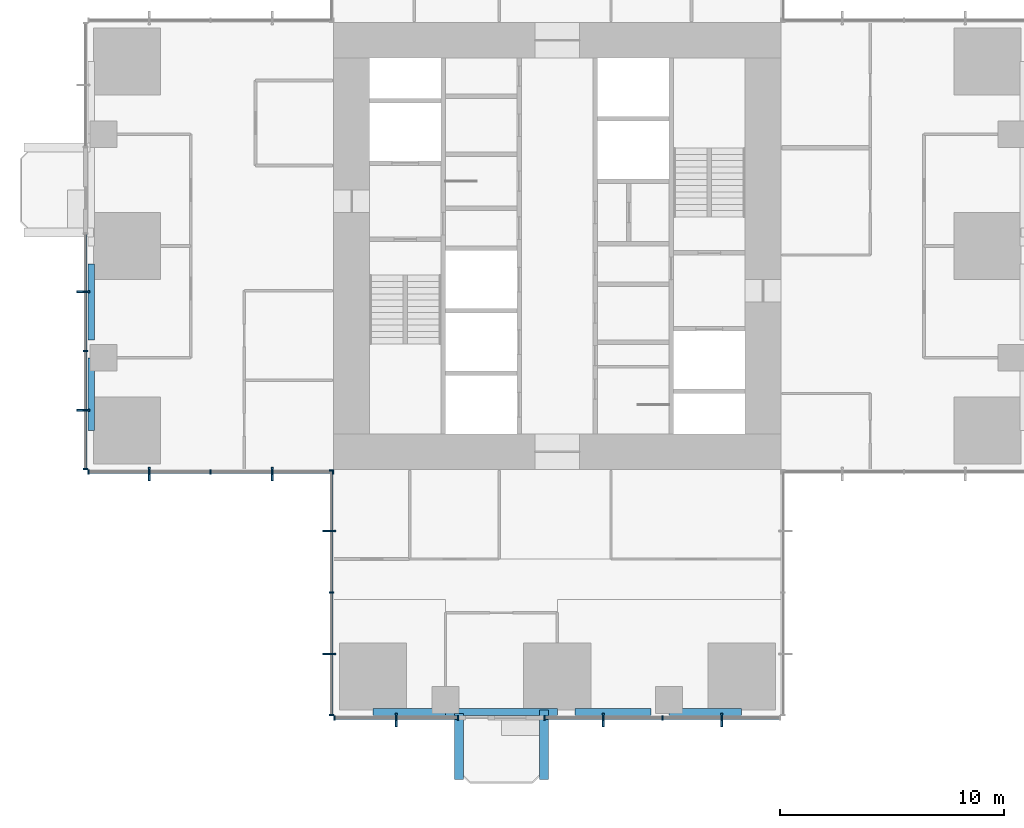
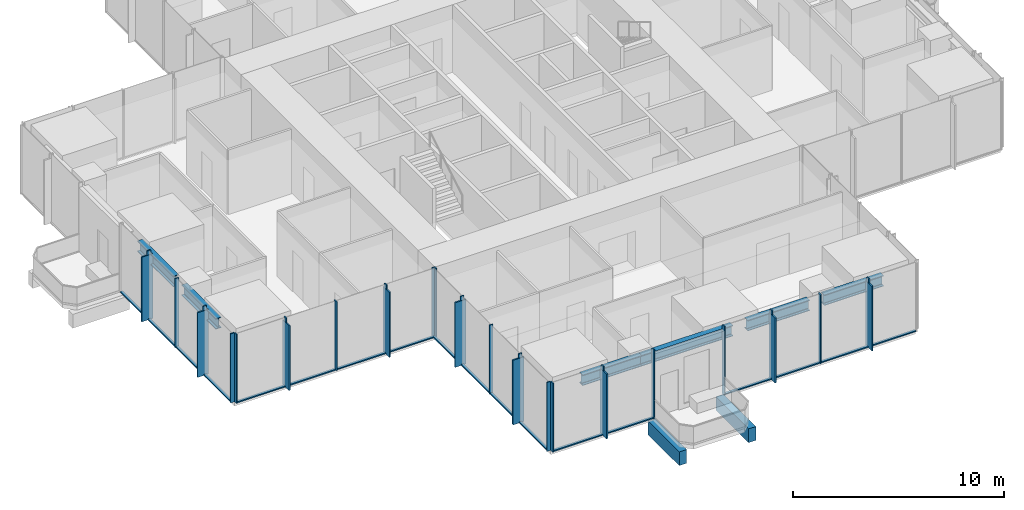
# One storey, part 2 of 14: 48 members, 8 beams, 5 elements without a shape of their own.
"""IFC4 building model written with IfcOpenShell, lengths in metres."""

from ifc_helpers import new_model, si_unit, direction, frame, origin, origin_2d, place, context, subcontext, project, spatial, rectangle, i_section, extrude, material, material_profile, profile_set, type_object, element, aggregate, save


model = new_model("IFC4")

# Units and contexts
model_context = context("Model", 3, precision=1e-05, world=origin(), true_north=direction((0.0, 1.0)))
body_context = subcontext(model_context, "Body", "Model", "MODEL_VIEW")
ifc_project = project(units=[si_unit("LENGTHUNIT", "METRE"), si_unit("AREAUNIT", "SQUARE_METRE"), si_unit("VOLUMEUNIT", "CUBIC_METRE"), si_unit("PLANEANGLEUNIT", "RADIAN"), si_unit("MASSUNIT", "GRAM", prefix="KILO")], contexts=[model_context])

# Site, building, storey
site_placement = place(None, origin())
site = spatial("IfcSite", under=ifc_project, at=site_placement, CompositionType="ELEMENT")
building_placement = place(site_placement, origin())
building = spatial("IfcBuilding", under=site, at=building_placement, Name="Svetlomir Tower", CompositionType="ELEMENT")
storey_placement = place(building_placement, frame((0.0, 0.0, 108.5)))
storey = spatial("IfcBuildingStorey", under=building, at=storey_placement, Name="L25", CompositionType="ELEMENT", Elevation=108.5)

# Beams
ifc_material_1 = material(Name="Concrete C60/75", Category="concrete")
ifc_material_profile_1 = material_profile(ifc_material_1, rectangle(XDim=0.39990234375, YDim=0.800048828125, at=origin_2d()), Name="RC 400x800")
ifc_profile_set_1 = profile_set([ifc_material_profile_1], Name="Concrete C60/75")
beam_type_1 = type_object("IfcBeamType", Name="BALCONY RIB RC 400x800", PredefinedType="BEAM", material=ifc_profile_set_1)
beam_1_placement = place(storey_placement, frame((16.60009765625, 0.10009765625, -0.64990234375), z_axis=(0.0, -1.0, 0.0), x_axis=(1.0, 0.0, 0.0)))
element("IfcBeam", 1, at=beam_1_placement, inside=storey, type_object=beam_type_1, Name="Balcony rib S 1 L25", PredefinedType="BEAM", context=body_context, shape_type="SweptSolid", body=[
    extrude(rectangle(XDim=0.39990234375, YDim=0.800048828125, at=origin_2d()), origin(), (0.0, 0.0, 1.0), 2.9501953125),
])
beam_2_placement = place(storey_placement, frame((20.39990234375, 0.25, -0.64990234375), z_axis=(0.0, -1.0, 0.0), x_axis=(1.0, 0.0, 0.0)))
element("IfcBeam", 2, at=beam_2_placement, inside=storey, type_object=beam_type_1, Name="Balcony rib S 2 L25", PredefinedType="BEAM", context=body_context, shape_type="SweptSolid", body=[
    extrude(rectangle(XDim=0.39990234375, YDim=0.800048828125, at=origin_2d()), origin(), (0.0, 0.0, 1.0), 3.10009765625),
])

# Curtain wall, member
ifc_material_2 = material(Name="Bronze anodised aluminium curtain wall", Category="aluminium")
curtain_wall_type = type_object("IfcCurtainWallType", Name="CURTAIN WALL CW1 TOWER OFFICE", PredefinedType="NOTDEFINED", material=ifc_material_2)
curtain_wall_1_placement = place(storey_placement, origin())
curtain_wall_1 = element("IfcCurtainWall", 3, at=curtain_wall_1_placement, inside=storey, type_object=curtain_wall_type, Name="Curtain wall CW1 L25", PredefinedType="NOTDEFINED")
ifc_material_3 = material(Name="Bronze anodised aluminium", Category="aluminium")
ifc_material_profile_2 = material_profile(ifc_material_3, rectangle(XDim=0.080078125, YDim=0.60009765625, at=origin_2d()), Name="FIN 80x600")
ifc_profile_set_2 = profile_set([ifc_material_profile_2], Name="Bronze anodised aluminium 6063-T6")
member_type_1 = type_object("IfcMemberType", Name="BRONZE FIN 80x600", PredefinedType="USERDEFINED", material=ifc_profile_set_2)
member_1_placement = place(storey_placement, frame((13.800048828125, -0.199951171875, 0.0), z_axis=(0.0, 0.0, 1.0), x_axis=(1.0, 0.0, 0.0)))
member_1 = element("IfcMember", 4, at=member_1_placement, type_object=member_type_1, Name="Bronze fin L25", ObjectType="FIN", PredefinedType="USERDEFINED", context=body_context, shape_type="SweptSolid", body=[
    extrude(rectangle(XDim=0.080078125, YDim=0.60009765625, at=origin_2d()), origin(), (0.0, 0.0, 1.0), 3.75),
])

# Curtain wall, members
curtain_wall_2_placement = place(storey_placement, origin())
curtain_wall_2 = element("IfcCurtainWall", 5, at=curtain_wall_2_placement, inside=storey, type_object=curtain_wall_type, Name="Curtain wall CW1 L25", PredefinedType="NOTDEFINED")
member_2_placement = place(storey_placement, frame((23.050048828125, -0.199951171875, 0.0), z_axis=(0.0, 0.0, 1.0), x_axis=(1.0, 0.0, 0.0)))
member_2 = element("IfcMember", 6, at=member_2_placement, type_object=member_type_1, Name="Bronze fin L25", ObjectType="FIN", PredefinedType="USERDEFINED", context=body_context, shape_type="SweptSolid", body=[
    extrude(rectangle(XDim=0.080078125, YDim=0.60009765625, at=origin_2d()), origin(), (0.0, 0.0, 1.0), 3.75),
])
member_3_placement = place(storey_placement, frame((28.35009765625, -0.199951171875, 0.0), z_axis=(0.0, 0.0, 1.0), x_axis=(1.0, 0.0, 0.0)))
member_3 = element("IfcMember", 7, at=member_3_placement, type_object=member_type_1, Name="Bronze fin L25", ObjectType="FIN", PredefinedType="USERDEFINED", context=body_context, shape_type="SweptSolid", body=[
    extrude(rectangle(XDim=0.080078125, YDim=0.60009765625, at=origin_2d()), origin(), (0.0, 0.0, 1.0), 3.75),
])

curtain_wall_3_placement = place(storey_placement, origin())
curtain_wall_3 = element("IfcCurtainWall", 8, at=curtain_wall_3_placement, inside=storey, type_object=curtain_wall_type, Name="Curtain wall CW1 L25", PredefinedType="NOTDEFINED")
member_4_placement = place(storey_placement, frame((-0.199951171875, 18.949951171875, 0.0), z_axis=(0.0, 0.0, 1.0), x_axis=(0.0, 1.0, 0.0)))
member_4 = element("IfcMember", 9, at=member_4_placement, type_object=member_type_1, Name="Bronze fin L25", ObjectType="FIN", PredefinedType="USERDEFINED", context=body_context, shape_type="SweptSolid", body=[
    extrude(rectangle(XDim=0.080078125, YDim=0.60009765625, at=origin_2d()), origin(), (0.0, 0.0, 1.0), 3.75),
])
member_5_placement = place(storey_placement, frame((-0.199951171875, 13.64990234375, 0.0), z_axis=(0.0, 0.0, 1.0), x_axis=(0.0, 1.0, 0.0)))
member_5 = element("IfcMember", 10, at=member_5_placement, type_object=member_type_1, Name="Bronze fin L25", ObjectType="FIN", PredefinedType="USERDEFINED", context=body_context, shape_type="SweptSolid", body=[
    extrude(rectangle(XDim=0.080078125, YDim=0.60009765625, at=origin_2d()), origin(), (0.0, 0.0, 1.0), 3.75),
])

curtain_wall_4_placement = place(storey_placement, origin())
curtain_wall_4 = element("IfcCurtainWall", 11, at=curtain_wall_4_placement, inside=storey, type_object=curtain_wall_type, Name="Curtain wall CW1 L25", PredefinedType="NOTDEFINED")
member_6_placement = place(storey_placement, frame((2.75, 10.800048828125, 0.0), z_axis=(0.0, 0.0, 1.0), x_axis=(1.0, 0.0, 0.0)))
member_6 = element("IfcMember", 12, at=member_6_placement, type_object=member_type_1, Name="Bronze fin L25", ObjectType="FIN", PredefinedType="USERDEFINED", context=body_context, shape_type="SweptSolid", body=[
    extrude(rectangle(XDim=0.080078125, YDim=0.60009765625, at=origin_2d()), origin(), (0.0, 0.0, 1.0), 3.75),
])
member_7_placement = place(storey_placement, frame((8.25, 10.800048828125, 0.0), z_axis=(0.0, 0.0, 1.0), x_axis=(1.0, 0.0, 0.0)))
member_7 = element("IfcMember", 13, at=member_7_placement, type_object=member_type_1, Name="Bronze fin L25", ObjectType="FIN", PredefinedType="USERDEFINED", context=body_context, shape_type="SweptSolid", body=[
    extrude(rectangle(XDim=0.080078125, YDim=0.60009765625, at=origin_2d()), origin(), (0.0, 0.0, 1.0), 3.75),
])

curtain_wall_5_placement = place(storey_placement, origin())
curtain_wall_5 = element("IfcCurtainWall", 14, at=curtain_wall_5_placement, inside=storey, type_object=curtain_wall_type, Name="Curtain wall CW1 L25", PredefinedType="NOTDEFINED")
member_8_placement = place(storey_placement, frame((10.800048828125, 8.25, 0.0), z_axis=(0.0, 0.0, 1.0), x_axis=(0.0, 1.0, 0.0)))
member_8 = element("IfcMember", 15, at=member_8_placement, type_object=member_type_1, Name="Bronze fin L25", ObjectType="FIN", PredefinedType="USERDEFINED", context=body_context, shape_type="SweptSolid", body=[
    extrude(rectangle(XDim=0.080078125, YDim=0.60009765625, at=origin_2d()), origin(), (0.0, 0.0, 1.0), 3.75),
])
member_9_placement = place(storey_placement, frame((10.800048828125, 2.75, 0.0), z_axis=(0.0, 0.0, 1.0), x_axis=(0.0, 1.0, 0.0)))
member_9 = element("IfcMember", 16, at=member_9_placement, type_object=member_type_1, Name="Bronze fin L25", ObjectType="FIN", PredefinedType="USERDEFINED", context=body_context, shape_type="SweptSolid", body=[
    extrude(rectangle(XDim=0.080078125, YDim=0.60009765625, at=origin_2d()), origin(), (0.0, 0.0, 1.0), 3.75),
])

# Member
ifc_material_4 = material(Name="Bronze anodised aluminium", Category="aluminium")
ifc_material_profile_3 = material_profile(ifc_material_4, rectangle(XDim=0.06494140625, YDim=0.199951171875, at=origin_2d()), Name="AL 65x200")
ifc_profile_set_3 = profile_set([ifc_material_profile_3], Name="Bronze anodised aluminium 6063-T6")
member_type_2 = type_object("IfcMemberType", Name="CW1 MULLION 65x200", PredefinedType="MULLION", material=ifc_profile_set_3)
member_10_placement = place(storey_placement, frame((11.032470703125, -0.10009765625, 0.0), z_axis=(0.0, 0.0, 1.0), x_axis=(1.0, 0.0, 0.0)))
member_10 = element("IfcMember", 17, at=member_10_placement, type_object=member_type_2, Name="CW1 mullion 1", PredefinedType="MULLION", context=body_context, shape_type="SweptSolid", body=[
    extrude(rectangle(XDim=0.06494140625, YDim=0.199951171875, at=origin_2d()), origin(), (0.0, 0.0, 1.0), 4.0),
])

member_11_placement = place(storey_placement, frame((13.800048828125, -0.10009765625, 0.0), z_axis=(0.0, 0.0, 1.0), x_axis=(1.0, 0.0, 0.0)))
member_11 = element("IfcMember", 18, at=member_11_placement, type_object=member_type_2, Name="CW1 mullion 2", PredefinedType="MULLION", context=body_context, shape_type="SweptSolid", body=[
    extrude(rectangle(XDim=0.06494140625, YDim=0.199951171875, at=origin_2d()), origin(), (0.0, 0.0, 1.0), 4.0),
])

member_12_placement = place(storey_placement, frame((16.5673828125, -0.10009765625, 0.0), z_axis=(0.0, 0.0, 1.0), x_axis=(1.0, 0.0, 0.0)))
member_12 = element("IfcMember", 19, at=member_12_placement, type_object=member_type_2, Name="CW1 mullion 3", PredefinedType="MULLION", context=body_context, shape_type="SweptSolid", body=[
    extrude(rectangle(XDim=0.06494140625, YDim=0.199951171875, at=origin_2d()), origin(), (0.0, 0.0, 1.0), 4.0),
])

member_13_placement = place(storey_placement, frame((20.4326171875, -0.10009765625, 0.0), z_axis=(0.0, 0.0, 1.0), x_axis=(1.0, 0.0, 0.0)))
member_13 = element("IfcMember", 20, at=member_13_placement, type_object=member_type_2, Name="CW1 mullion 1", PredefinedType="MULLION", context=body_context, shape_type="SweptSolid", body=[
    extrude(rectangle(XDim=0.06494140625, YDim=0.199951171875, at=origin_2d()), origin(), (0.0, 0.0, 1.0), 4.0),
])

member_14_placement = place(storey_placement, frame((23.050048828125, -0.10009765625, 0.0), z_axis=(0.0, 0.0, 1.0), x_axis=(1.0, 0.0, 0.0)))
member_14 = element("IfcMember", 21, at=member_14_placement, type_object=member_type_2, Name="CW1 mullion 2", PredefinedType="MULLION", context=body_context, shape_type="SweptSolid", body=[
    extrude(rectangle(XDim=0.06494140625, YDim=0.199951171875, at=origin_2d()), origin(), (0.0, 0.0, 1.0), 4.0),
])

member_15_placement = place(storey_placement, frame((25.699951171875, -0.10009765625, 0.0), z_axis=(0.0, 0.0, 1.0), x_axis=(1.0, 0.0, 0.0)))
member_15 = element("IfcMember", 22, at=member_15_placement, type_object=member_type_2, Name="CW1 mullion 3", PredefinedType="MULLION", context=body_context, shape_type="SweptSolid", body=[
    extrude(rectangle(XDim=0.06494140625, YDim=0.199951171875, at=origin_2d()), origin(), (0.0, 0.0, 1.0), 4.0),
])

member_16_placement = place(storey_placement, frame((28.35009765625, -0.10009765625, 0.0), z_axis=(0.0, 0.0, 1.0), x_axis=(1.0, 0.0, 0.0)))
member_16 = element("IfcMember", 23, at=member_16_placement, type_object=member_type_2, Name="CW1 mullion 4", PredefinedType="MULLION", context=body_context, shape_type="SweptSolid", body=[
    extrude(rectangle(XDim=0.06494140625, YDim=0.199951171875, at=origin_2d()), origin(), (0.0, 0.0, 1.0), 4.0),
])

member_17_placement = place(storey_placement, frame((-0.10009765625, 18.949951171875, 0.0), z_axis=(0.0, 0.0, 1.0), x_axis=(0.0, -1.0, 0.0)))
member_17 = element("IfcMember", 24, at=member_17_placement, type_object=member_type_2, Name="CW1 mullion 2", PredefinedType="MULLION", context=body_context, shape_type="SweptSolid", body=[
    extrude(rectangle(XDim=0.06494140625, YDim=0.199951171875, at=origin_2d()), origin(), (0.0, 0.0, 1.0), 4.0),
])

member_18_placement = place(storey_placement, frame((-0.10009765625, 16.300048828125, 0.0), z_axis=(0.0, 0.0, 1.0), x_axis=(0.0, -1.0, 0.0)))
member_18 = element("IfcMember", 25, at=member_18_placement, type_object=member_type_2, Name="CW1 mullion 3", PredefinedType="MULLION", context=body_context, shape_type="SweptSolid", body=[
    extrude(rectangle(XDim=0.06494140625, YDim=0.199951171875, at=origin_2d()), origin(), (0.0, 0.0, 1.0), 4.0),
])

member_19_placement = place(storey_placement, frame((-0.10009765625, 13.64990234375, 0.0), z_axis=(0.0, 0.0, 1.0), x_axis=(0.0, -1.0, 0.0)))
member_19 = element("IfcMember", 26, at=member_19_placement, type_object=member_type_2, Name="CW1 mullion 4", PredefinedType="MULLION", context=body_context, shape_type="SweptSolid", body=[
    extrude(rectangle(XDim=0.06494140625, YDim=0.199951171875, at=origin_2d()), origin(), (0.0, 0.0, 1.0), 4.0),
])

member_20_placement = place(storey_placement, frame((-0.10009765625, 11.032470703125, 0.0), z_axis=(0.0, 0.0, 1.0), x_axis=(0.0, -1.0, 0.0)))
member_20 = element("IfcMember", 27, at=member_20_placement, type_object=member_type_2, Name="CW1 mullion 5", PredefinedType="MULLION", context=body_context, shape_type="SweptSolid", body=[
    extrude(rectangle(XDim=0.06494140625, YDim=0.199951171875, at=origin_2d()), origin(), (0.0, 0.0, 1.0), 4.0),
])

member_21_placement = place(storey_placement, frame((0.032470703125, 10.89990234375, 0.0), z_axis=(0.0, 0.0, 1.0), x_axis=(1.0, 0.0, 0.0)))
member_21 = element("IfcMember", 28, at=member_21_placement, type_object=member_type_2, Name="CW1 mullion 1", PredefinedType="MULLION", context=body_context, shape_type="SweptSolid", body=[
    extrude(rectangle(XDim=0.06494140625, YDim=0.199951171875, at=origin_2d()), origin(), (0.0, 0.0, 1.0), 4.0),
])

member_22_placement = place(storey_placement, frame((2.75, 10.89990234375, 0.0), z_axis=(0.0, 0.0, 1.0), x_axis=(1.0, 0.0, 0.0)))
member_22 = element("IfcMember", 29, at=member_22_placement, type_object=member_type_2, Name="CW1 mullion 2", PredefinedType="MULLION", context=body_context, shape_type="SweptSolid", body=[
    extrude(rectangle(XDim=0.06494140625, YDim=0.199951171875, at=origin_2d()), origin(), (0.0, 0.0, 1.0), 4.0),
])

member_23_placement = place(storey_placement, frame((5.5, 10.89990234375, 0.0), z_axis=(0.0, 0.0, 1.0), x_axis=(1.0, 0.0, 0.0)))
member_23 = element("IfcMember", 30, at=member_23_placement, type_object=member_type_2, Name="CW1 mullion 3", PredefinedType="MULLION", context=body_context, shape_type="SweptSolid", body=[
    extrude(rectangle(XDim=0.06494140625, YDim=0.199951171875, at=origin_2d()), origin(), (0.0, 0.0, 1.0), 4.0),
])

member_24_placement = place(storey_placement, frame((8.25, 10.89990234375, 0.0), z_axis=(0.0, 0.0, 1.0), x_axis=(1.0, 0.0, 0.0)))
member_24 = element("IfcMember", 31, at=member_24_placement, type_object=member_type_2, Name="CW1 mullion 4", PredefinedType="MULLION", context=body_context, shape_type="SweptSolid", body=[
    extrude(rectangle(XDim=0.06494140625, YDim=0.199951171875, at=origin_2d()), origin(), (0.0, 0.0, 1.0), 4.0),
])

member_25_placement = place(storey_placement, frame((10.967529296875, 10.89990234375, 0.0), z_axis=(0.0, 0.0, 1.0), x_axis=(1.0, 0.0, 0.0)))
member_25 = element("IfcMember", 32, at=member_25_placement, type_object=member_type_2, Name="CW1 mullion 5", PredefinedType="MULLION", context=body_context, shape_type="SweptSolid", body=[
    extrude(rectangle(XDim=0.06494140625, YDim=0.199951171875, at=origin_2d()), origin(), (0.0, 0.0, 1.0), 4.0),
])

member_26_placement = place(storey_placement, frame((10.89990234375, 10.967529296875, 0.0), z_axis=(0.0, 0.0, 1.0), x_axis=(0.0, -1.0, 0.0)))
member_26 = element("IfcMember", 33, at=member_26_placement, type_object=member_type_2, Name="CW1 mullion 1", PredefinedType="MULLION", context=body_context, shape_type="SweptSolid", body=[
    extrude(rectangle(XDim=0.06494140625, YDim=0.199951171875, at=origin_2d()), origin(), (0.0, 0.0, 1.0), 4.0),
])

member_27_placement = place(storey_placement, frame((10.89990234375, 8.25, 0.0), z_axis=(0.0, 0.0, 1.0), x_axis=(0.0, -1.0, 0.0)))
member_27 = element("IfcMember", 34, at=member_27_placement, type_object=member_type_2, Name="CW1 mullion 2", PredefinedType="MULLION", context=body_context, shape_type="SweptSolid", body=[
    extrude(rectangle(XDim=0.06494140625, YDim=0.199951171875, at=origin_2d()), origin(), (0.0, 0.0, 1.0), 4.0),
])

member_28_placement = place(storey_placement, frame((10.89990234375, 5.5, 0.0), z_axis=(0.0, 0.0, 1.0), x_axis=(0.0, -1.0, 0.0)))
member_28 = element("IfcMember", 35, at=member_28_placement, type_object=member_type_2, Name="CW1 mullion 3", PredefinedType="MULLION", context=body_context, shape_type="SweptSolid", body=[
    extrude(rectangle(XDim=0.06494140625, YDim=0.199951171875, at=origin_2d()), origin(), (0.0, 0.0, 1.0), 4.0),
])

member_29_placement = place(storey_placement, frame((10.89990234375, 2.75, 0.0), z_axis=(0.0, 0.0, 1.0), x_axis=(0.0, -1.0, 0.0)))
member_29 = element("IfcMember", 36, at=member_29_placement, type_object=member_type_2, Name="CW1 mullion 4", PredefinedType="MULLION", context=body_context, shape_type="SweptSolid", body=[
    extrude(rectangle(XDim=0.06494140625, YDim=0.199951171875, at=origin_2d()), origin(), (0.0, 0.0, 1.0), 4.0),
])

member_30_placement = place(storey_placement, frame((10.89990234375, 0.032470703125, 0.0), z_axis=(0.0, 0.0, 1.0), x_axis=(0.0, -1.0, 0.0)))
member_30 = element("IfcMember", 37, at=member_30_placement, type_object=member_type_2, Name="CW1 mullion 5", PredefinedType="MULLION", context=body_context, shape_type="SweptSolid", body=[
    extrude(rectangle(XDim=0.06494140625, YDim=0.199951171875, at=origin_2d()), origin(), (0.0, 0.0, 1.0), 4.0),
])

ifc_material_5 = material(Name="Bronze anodised aluminium", Category="aluminium")
ifc_material_profile_4 = material_profile(ifc_material_5, rectangle(XDim=0.139892578125, YDim=0.06494140625, at=origin_2d()), Name="AL 140x65")
ifc_profile_set_4 = profile_set([ifc_material_profile_4], Name="Bronze anodised aluminium 6063-T6")
member_type_3 = type_object("IfcMemberType", Name="CW1 TRANSOM 65x140", PredefinedType="USERDEFINED", material=ifc_profile_set_4)
member_31_placement = place(storey_placement, frame((11.06494140625, -0.10009765625, 0.032470703125), z_axis=(1.0, 0.0, 0.0), x_axis=(0.0, 1.0, 0.0)))
member_31 = element("IfcMember", 38, at=member_31_placement, type_object=member_type_3, Name="CW1 transom 1.1", ObjectType="TRANSOM", PredefinedType="USERDEFINED", context=body_context, shape_type="SweptSolid", body=[
    extrude(rectangle(XDim=0.139892578125, YDim=0.06494140625, at=origin_2d()), origin(), (0.0, 0.0, 1.0), 2.70263671875),
])

member_32_placement = place(storey_placement, frame((13.83251953125, -0.10009765625, 0.032470703125), z_axis=(1.0, 0.0, 0.0), x_axis=(0.0, 1.0, 0.0)))
member_32 = element("IfcMember", 39, at=member_32_placement, type_object=member_type_3, Name="CW1 transom 2.1", ObjectType="TRANSOM", PredefinedType="USERDEFINED", context=body_context, shape_type="SweptSolid", body=[
    extrude(rectangle(XDim=0.139892578125, YDim=0.06494140625, at=origin_2d()), origin(), (0.0, 0.0, 1.0), 2.702392578125),
])

aggregate(curtain_wall_1, [member_10, member_11, member_12, member_31, member_32, member_1])

member_33_placement = place(storey_placement, frame((20.465087890625, -0.10009765625, 0.032470703125), z_axis=(1.0, 0.0, 0.0), x_axis=(0.0, 1.0, 0.0)))
member_33 = element("IfcMember", 40, at=member_33_placement, type_object=member_type_3, Name="CW1 transom 1.1", ObjectType="TRANSOM", PredefinedType="USERDEFINED", context=body_context, shape_type="SweptSolid", body=[
    extrude(rectangle(XDim=0.139892578125, YDim=0.06494140625, at=origin_2d()), origin(), (0.0, 0.0, 1.0), 2.552490234375),
])

member_34_placement = place(storey_placement, frame((23.08251953125, -0.10009765625, 0.032470703125), z_axis=(1.0, 0.0, 0.0), x_axis=(0.0, 1.0, 0.0)))
member_34 = element("IfcMember", 41, at=member_34_placement, type_object=member_type_3, Name="CW1 transom 2.1", ObjectType="TRANSOM", PredefinedType="USERDEFINED", context=body_context, shape_type="SweptSolid", body=[
    extrude(rectangle(XDim=0.139892578125, YDim=0.06494140625, at=origin_2d()), origin(), (0.0, 0.0, 1.0), 2.5849609375),
])

member_35_placement = place(storey_placement, frame((25.732421875, -0.10009765625, 0.032470703125), z_axis=(1.0, 0.0, 0.0), x_axis=(0.0, 1.0, 0.0)))
member_35 = element("IfcMember", 42, at=member_35_placement, type_object=member_type_3, Name="CW1 transom 3.1", ObjectType="TRANSOM", PredefinedType="USERDEFINED", context=body_context, shape_type="SweptSolid", body=[
    extrude(rectangle(XDim=0.139892578125, YDim=0.06494140625, at=origin_2d()), origin(), (0.0, 0.0, 1.0), 2.5849609375),
])

member_36_placement = place(storey_placement, frame((28.382568359375, -0.10009765625, 0.032470703125), z_axis=(1.0, 0.0, 0.0), x_axis=(0.0, 1.0, 0.0)))
member_36 = element("IfcMember", 43, at=member_36_placement, type_object=member_type_3, Name="CW1 transom 4.1", ObjectType="TRANSOM", PredefinedType="USERDEFINED", context=body_context, shape_type="SweptSolid", body=[
    extrude(rectangle(XDim=0.139892578125, YDim=0.06494140625, at=origin_2d()), origin(), (0.0, 0.0, 1.0), 2.552490234375),
])

aggregate(curtain_wall_2, [member_13, member_14, member_15, member_16, member_33, member_34, member_35, member_36, member_2, member_3])

member_37_placement = place(storey_placement, frame((-0.10009765625, 21.534912109375, 0.032470703125), z_axis=(0.0, -1.0, 0.0), x_axis=(1.0, 0.0, 0.0)))
member_37 = element("IfcMember", 44, at=member_37_placement, type_object=member_type_3, Name="CW1 transom 1.1", ObjectType="TRANSOM", PredefinedType="USERDEFINED", context=body_context, shape_type="SweptSolid", body=[
    extrude(rectangle(XDim=0.139892578125, YDim=0.06494140625, at=origin_2d()), origin(), (0.0, 0.0, 1.0), 2.552490234375),
])

member_38_placement = place(storey_placement, frame((-0.10009765625, 18.91748046875, 0.032470703125), z_axis=(0.0, -1.0, 0.0), x_axis=(1.0, 0.0, 0.0)))
member_38 = element("IfcMember", 45, at=member_38_placement, type_object=member_type_3, Name="CW1 transom 2.1", ObjectType="TRANSOM", PredefinedType="USERDEFINED", context=body_context, shape_type="SweptSolid", body=[
    extrude(rectangle(XDim=0.139892578125, YDim=0.06494140625, at=origin_2d()), origin(), (0.0, 0.0, 1.0), 2.5849609375),
])

member_39_placement = place(storey_placement, frame((-0.10009765625, 16.267578125, 0.032470703125), z_axis=(0.0, -1.0, 0.0), x_axis=(1.0, 0.0, 0.0)))
member_39 = element("IfcMember", 46, at=member_39_placement, type_object=member_type_3, Name="CW1 transom 3.1", ObjectType="TRANSOM", PredefinedType="USERDEFINED", context=body_context, shape_type="SweptSolid", body=[
    extrude(rectangle(XDim=0.139892578125, YDim=0.06494140625, at=origin_2d()), origin(), (0.0, 0.0, 1.0), 2.5849609375),
])

member_40_placement = place(storey_placement, frame((-0.10009765625, 13.617431640625, 0.032470703125), z_axis=(0.0, -1.0, 0.0), x_axis=(1.0, 0.0, 0.0)))
member_40 = element("IfcMember", 47, at=member_40_placement, type_object=member_type_3, Name="CW1 transom 4.1", ObjectType="TRANSOM", PredefinedType="USERDEFINED", context=body_context, shape_type="SweptSolid", body=[
    extrude(rectangle(XDim=0.139892578125, YDim=0.06494140625, at=origin_2d()), origin(), (0.0, 0.0, 1.0), 2.552490234375),
])

aggregate(curtain_wall_3, [member_17, member_18, member_19, member_20, member_37, member_38, member_39, member_40, member_4, member_5])

member_41_placement = place(storey_placement, frame((0.06494140625, 10.89990234375, 0.032470703125), z_axis=(1.0, 0.0, 0.0), x_axis=(0.0, 1.0, 0.0)))
member_41 = element("IfcMember", 48, at=member_41_placement, type_object=member_type_3, Name="CW1 transom 1.1", ObjectType="TRANSOM", PredefinedType="USERDEFINED", context=body_context, shape_type="SweptSolid", body=[
    extrude(rectangle(XDim=0.139892578125, YDim=0.06494140625, at=origin_2d()), origin(), (0.0, 0.0, 1.0), 2.652587890625),
])

member_42_placement = place(storey_placement, frame((2.782470703125, 10.89990234375, 0.032470703125), z_axis=(1.0, 0.0, 0.0), x_axis=(0.0, 1.0, 0.0)))
member_42 = element("IfcMember", 49, at=member_42_placement, type_object=member_type_3, Name="CW1 transom 2.1", ObjectType="TRANSOM", PredefinedType="USERDEFINED", context=body_context, shape_type="SweptSolid", body=[
    extrude(rectangle(XDim=0.139892578125, YDim=0.06494140625, at=origin_2d()), origin(), (0.0, 0.0, 1.0), 2.68505859375),
])

member_43_placement = place(storey_placement, frame((5.532470703125, 10.89990234375, 0.032470703125), z_axis=(1.0, 0.0, 0.0), x_axis=(0.0, 1.0, 0.0)))
member_43 = element("IfcMember", 50, at=member_43_placement, type_object=member_type_3, Name="CW1 transom 3.1", ObjectType="TRANSOM", PredefinedType="USERDEFINED", context=body_context, shape_type="SweptSolid", body=[
    extrude(rectangle(XDim=0.139892578125, YDim=0.06494140625, at=origin_2d()), origin(), (0.0, 0.0, 1.0), 2.68505859375),
])

member_44_placement = place(storey_placement, frame((8.282470703125, 10.89990234375, 0.032470703125), z_axis=(1.0, 0.0, 0.0), x_axis=(0.0, 1.0, 0.0)))
member_44 = element("IfcMember", 51, at=member_44_placement, type_object=member_type_3, Name="CW1 transom 4.1", ObjectType="TRANSOM", PredefinedType="USERDEFINED", context=body_context, shape_type="SweptSolid", body=[
    extrude(rectangle(XDim=0.139892578125, YDim=0.06494140625, at=origin_2d()), origin(), (0.0, 0.0, 1.0), 2.652587890625),
])

aggregate(curtain_wall_4, [member_21, member_22, member_23, member_24, member_25, member_41, member_42, member_43, member_44, member_6, member_7])

member_45_placement = place(storey_placement, frame((10.89990234375, 10.93505859375, 0.032470703125), z_axis=(0.0, -1.0, 0.0), x_axis=(1.0, 0.0, 0.0)))
member_45 = element("IfcMember", 52, at=member_45_placement, type_object=member_type_3, Name="CW1 transom 1.1", ObjectType="TRANSOM", PredefinedType="USERDEFINED", context=body_context, shape_type="SweptSolid", body=[
    extrude(rectangle(XDim=0.139892578125, YDim=0.06494140625, at=origin_2d()), origin(), (0.0, 0.0, 1.0), 2.652587890625),
])

member_46_placement = place(storey_placement, frame((10.89990234375, 8.217529296875, 0.032470703125), z_axis=(0.0, -1.0, 0.0), x_axis=(1.0, 0.0, 0.0)))
member_46 = element("IfcMember", 53, at=member_46_placement, type_object=member_type_3, Name="CW1 transom 2.1", ObjectType="TRANSOM", PredefinedType="USERDEFINED", context=body_context, shape_type="SweptSolid", body=[
    extrude(rectangle(XDim=0.139892578125, YDim=0.06494140625, at=origin_2d()), origin(), (0.0, 0.0, 1.0), 2.68505859375),
])

member_47_placement = place(storey_placement, frame((10.89990234375, 5.467529296875, 0.032470703125), z_axis=(0.0, -1.0, 0.0), x_axis=(1.0, 0.0, 0.0)))
member_47 = element("IfcMember", 54, at=member_47_placement, type_object=member_type_3, Name="CW1 transom 3.1", ObjectType="TRANSOM", PredefinedType="USERDEFINED", context=body_context, shape_type="SweptSolid", body=[
    extrude(rectangle(XDim=0.139892578125, YDim=0.06494140625, at=origin_2d()), origin(), (0.0, 0.0, 1.0), 2.68505859375),
])

member_48_placement = place(storey_placement, frame((10.89990234375, 2.717529296875, 0.032470703125), z_axis=(0.0, -1.0, 0.0), x_axis=(1.0, 0.0, 0.0)))
member_48 = element("IfcMember", 55, at=member_48_placement, type_object=member_type_3, Name="CW1 transom 4.1", ObjectType="TRANSOM", PredefinedType="USERDEFINED", context=body_context, shape_type="SweptSolid", body=[
    extrude(rectangle(XDim=0.139892578125, YDim=0.06494140625, at=origin_2d()), origin(), (0.0, 0.0, 1.0), 2.652587890625),
])

aggregate(curtain_wall_5, [member_26, member_27, member_28, member_29, member_30, member_45, member_46, member_47, member_48, member_8, member_9])

# Beams
ifc_material_6 = material(Name="Steel S355", Category="steel")
ifc_material_profile_5 = material_profile(ifc_material_6, i_section(OverallWidth=0.304931640625, OverallDepth=0.6201171875, WebThickness=0.02099609375, FlangeThickness=0.0400390625, FilletRadius=0.027099609375, at=origin_2d()), Name="HEM 600")
ifc_profile_set_5 = profile_set([ifc_material_profile_5], Name="Steel S355")
beam_type_2 = type_object("IfcBeamType", Name="EDGE BEAM HEM 600", PredefinedType="SPANDREL", material=ifc_profile_set_5)
for number, where, z_axis, x_axis, name in (
    (56, (12.75, 0.152587890625, 3.43994140625), (1.0, 0.0, 0.0), (0.0, 1.0, 0.0), "Edge beam 11/0 to 16/0 under L26"),
    (57, (0.152587890625, 12.75, 3.43994140625), (0.0, 1.0, 0.0), (-1.0, 0.0, 0.0), "Edge beam 0/11 to 0/16 under L26"),
):
    element("IfcBeam", number, at=place(storey_placement, frame(where, z_axis=z_axis, x_axis=x_axis)), inside=storey, type_object=beam_type_2, Name=name, PredefinedType="SPANDREL", context=body_context, shape_type="SweptSolid", body=[
        extrude(i_section(OverallWidth=0.304931640625, OverallDepth=0.6201171875, WebThickness=0.02099609375, FlangeThickness=0.0400390625, FilletRadius=0.027099609375, at=origin_2d()), origin(), (0.0, 0.0, 1.0), 3.25),
    ])
beam_3_placement = place(storey_placement, frame((16.0, 0.152587890625, 3.43994140625), z_axis=(1.0, 0.0, 0.0), x_axis=(0.0, 1.0, 0.0)))
element("IfcBeam", 58, at=beam_3_placement, inside=storey, type_object=beam_type_2, Name="Edge beam 16/0 to 21/0 under L26", PredefinedType="SPANDREL", context=body_context, shape_type="SweptSolid", body=[
    extrude(i_section(OverallWidth=0.304931640625, OverallDepth=0.6201171875, WebThickness=0.02099609375, FlangeThickness=0.0400390625, FilletRadius=0.027099609375, at=origin_2d()), origin(), (0.0, 0.0, 1.0), 5.0),
])
for number, where, z_axis, x_axis, name in (
    (59, (0.152587890625, 16.800048828125, 3.43994140625), (0.0, 1.0, 0.0), (-1.0, 0.0, 0.0), "Edge beam 0/16 to 0/21 under L26"),
    (60, (21.800048828125, 0.152587890625, 3.43994140625), (1.0, 0.0, 0.0), (0.0, 1.0, 0.0), "Edge beam 21/0 to 26/0 under L26"),
):
    element("IfcBeam", number, at=place(storey_placement, frame(where, z_axis=z_axis, x_axis=x_axis)), inside=storey, type_object=beam_type_2, Name=name, PredefinedType="SPANDREL", context=body_context, shape_type="SweptSolid", body=[
        extrude(i_section(OverallWidth=0.304931640625, OverallDepth=0.6201171875, WebThickness=0.02099609375, FlangeThickness=0.0400390625, FilletRadius=0.027099609375, at=origin_2d()), origin(), (0.0, 0.0, 1.0), 3.39990234375),
    ])
beam_4_placement = place(storey_placement, frame((26.0, 0.152587890625, 3.43994140625), z_axis=(1.0, 0.0, 0.0), x_axis=(0.0, 1.0, 0.0)))
element("IfcBeam", 61, at=beam_4_placement, inside=storey, type_object=beam_type_2, Name="Edge beam 26/0 to 31/0 under L26", PredefinedType="SPANDREL", context=body_context, shape_type="SweptSolid", body=[
    extrude(i_section(OverallWidth=0.304931640625, OverallDepth=0.6201171875, WebThickness=0.02099609375, FlangeThickness=0.0400390625, FilletRadius=0.027099609375, at=origin_2d()), origin(), (0.0, 0.0, 1.0), 3.25),
])

save(model, "model.ifc")
